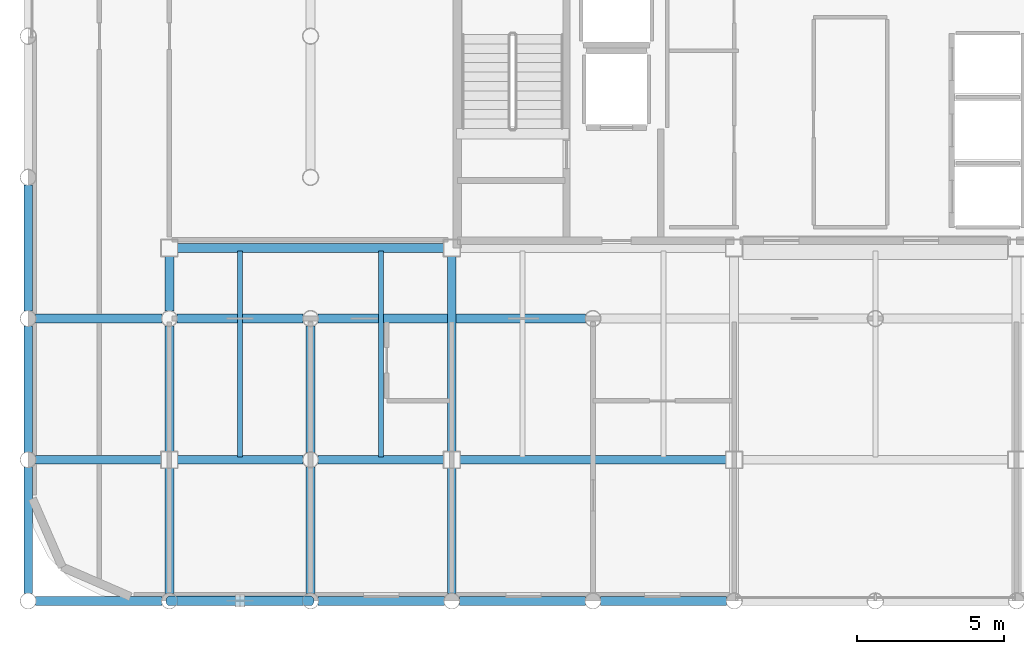
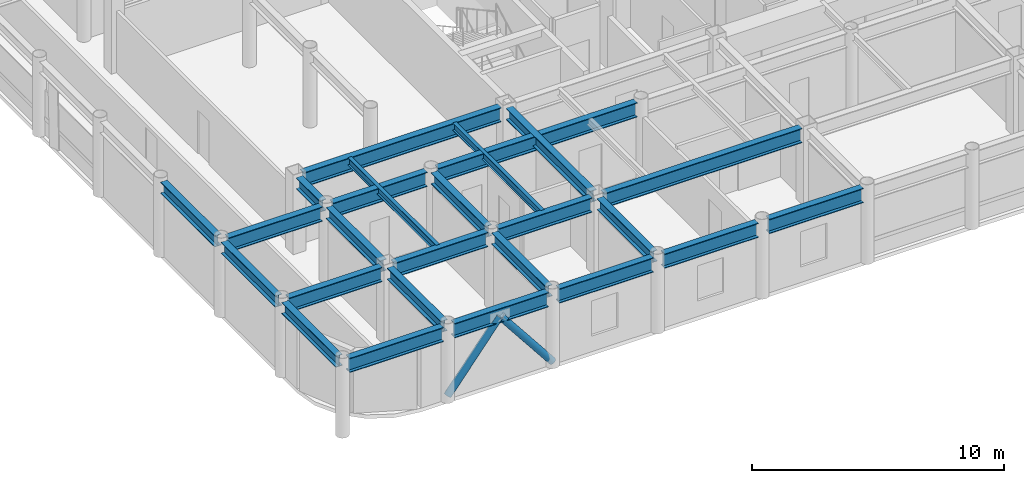
# One storey, part 3 of 22: 25 beams, 2 members.
"""IFC4 building model written with IfcOpenShell, lengths in metres."""

from ifc_helpers import new_model, si_unit, direction, frame, origin, origin_2d, place, context, subcontext, project, spatial, hollow_circle, i_section, extrude, material, material_profile, profile_set, type_object, element, save


model = new_model("IFC4")

# Units and contexts
model_context = context("Model", 3, precision=1e-05, world=origin(), true_north=direction((0.0, 1.0)))
body_context = subcontext(model_context, "Body", "Model", "MODEL_VIEW")
ifc_project = project(units=[si_unit("LENGTHUNIT", "METRE"), si_unit("AREAUNIT", "SQUARE_METRE"), si_unit("VOLUMEUNIT", "CUBIC_METRE"), si_unit("PLANEANGLEUNIT", "RADIAN"), si_unit("MASSUNIT", "GRAM", prefix="KILO")], contexts=[model_context])

# Site, building, storey
site_placement = place(None, origin())
site = spatial("IfcSite", under=ifc_project, at=site_placement, CompositionType="ELEMENT")
building_placement = place(site_placement, origin())
building = spatial("IfcBuilding", under=site, at=building_placement, Name="Kallvorn Hotel Tower", CompositionType="ELEMENT")
storey_placement = place(building_placement, frame((0.0, 0.0, 241.550048828125)))
storey = spatial("IfcBuildingStorey", under=building, at=storey_placement, Name="L60", CompositionType="ELEMENT", Elevation=241.550048828125)

# Beams
ifc_material_1 = material(Name="Structural steel S355JR", Category="steel")
ifc_material_profile_1 = material_profile(ifc_material_1, i_section(OverallWidth=0.300048828125, OverallDepth=0.550048828125, WebThickness=0.014892578125, FlangeThickness=0.029052734375, at=origin_2d()), Name="HE 550 B")
ifc_profile_set_1 = profile_set([ifc_material_profile_1], Name="Structural steel S355JR")
beam_type_1 = type_object("IfcBeamType", Name="BM_HE550B", PredefinedType="SPANDREL", material=ifc_profile_set_1)
for number, where, z_axis, x_axis, name in (
    (1, (-28.800048828125, -18.945556640625, 3.39501953125), (0.0, 1.0, 0.0), (-1.0, 0.0, 0.0), "L61 Primary Y-Girder 73"),
    (2, (-28.800048828125, -14.1455078125, 3.39501953125), (0.0, 1.0, 0.0), (-1.0, 0.0, 0.0), "L61 Primary Y-Girder 74"),
    (3, (-28.800048828125, -9.345458984375, 3.39501953125), (0.0, 1.0, 0.0), (-1.0, 0.0, 0.0), "L61 Primary Y-Girder 75"),
):
    element("IfcBeam", number, at=place(storey_placement, frame(where, z_axis=z_axis, x_axis=x_axis)), inside=storey, type_object=beam_type_1, Name=name, PredefinedType="SPANDREL", context=body_context, shape_type="SweptSolid", body=[
        extrude(i_section(OverallWidth=0.300048828125, OverallDepth=0.550048828125, WebThickness=0.014892578125, FlangeThickness=0.029052734375, at=origin_2d()), origin(), (0.0, 0.0, 1.0), 4.291015625),
    ])
for number, where, z_axis, x_axis, name in (
    (4, (-24.0, -18.945556640625, 3.39501953125), (0.0, 1.0, 0.0), (-1.0, 0.0, 0.0), "L61 Primary Y-Girder 81"),
    (5, (-24.0, -14.125, 3.39501953125), (0.0, 1.0, 0.0), (-1.0, 0.0, 0.0), "L61 Primary Y-Girder 82"),
):
    element("IfcBeam", number, at=place(storey_placement, frame(where, z_axis=z_axis, x_axis=x_axis)), inside=storey, type_object=beam_type_1, Name=name, PredefinedType="SPANDREL", context=body_context, shape_type="SweptSolid", body=[
        extrude(i_section(OverallWidth=0.300048828125, OverallDepth=0.550048828125, WebThickness=0.014892578125, FlangeThickness=0.029052734375, at=origin_2d()), origin(), (0.0, 0.0, 1.0), 4.2705078125),
    ])
beam_1_placement = place(storey_placement, frame((-24.0, -9.345458984375, 3.39501953125), z_axis=(0.0, 1.0, 0.0), x_axis=(-1.0, 0.0, 0.0)))
element("IfcBeam", 6, at=beam_1_placement, inside=storey, type_object=beam_type_1, Name="L61 Primary Y-Girder 83", PredefinedType="SPANDREL", context=body_context, shape_type="SweptSolid", body=[
    extrude(i_section(OverallWidth=0.300048828125, OverallDepth=0.550048828125, WebThickness=0.014892578125, FlangeThickness=0.029052734375, at=origin_2d()), origin(), (0.0, 0.0, 1.0), 1.870361328125),
])
for number, where, z_axis, x_axis, name in (
    (7, (-19.199951171875, -18.945556640625, 3.39501953125), (0.0, 1.0, 0.0), (-1.0, 0.0, 0.0), "L61 Primary Y-Girder 88"),
    (8, (-19.199951171875, -14.1455078125, 3.39501953125), (0.0, 1.0, 0.0), (-1.0, 0.0, 0.0), "L61 Primary Y-Girder 89"),
):
    element("IfcBeam", number, at=place(storey_placement, frame(where, z_axis=z_axis, x_axis=x_axis)), inside=storey, type_object=beam_type_1, Name=name, PredefinedType="SPANDREL", context=body_context, shape_type="SweptSolid", body=[
        extrude(i_section(OverallWidth=0.300048828125, OverallDepth=0.550048828125, WebThickness=0.014892578125, FlangeThickness=0.029052734375, at=origin_2d()), origin(), (0.0, 0.0, 1.0), 4.291015625),
    ])
beam_2_placement = place(storey_placement, frame((-14.39990234375, -18.945556640625, 3.39501953125), z_axis=(0.0, 1.0, 0.0), x_axis=(-1.0, 0.0, 0.0)))
element("IfcBeam", 9, at=beam_2_placement, inside=storey, type_object=beam_type_1, Name="L61 Primary Y-Girder 97", PredefinedType="SPANDREL", context=body_context, shape_type="SweptSolid", body=[
    extrude(i_section(OverallWidth=0.300048828125, OverallDepth=0.550048828125, WebThickness=0.014892578125, FlangeThickness=0.029052734375, at=origin_2d()), origin(), (0.0, 0.0, 1.0), 4.2705078125),
])
beam_3_placement = place(storey_placement, frame((-14.39990234375, -14.125, 3.39501953125), z_axis=(0.0, 1.0, 0.0), x_axis=(-1.0, 0.0, 0.0)))
element("IfcBeam", 10, at=beam_3_placement, inside=storey, type_object=beam_type_1, Name="L61 Primary Y-Girder 98", PredefinedType="SPANDREL", context=body_context, shape_type="SweptSolid", body=[
    extrude(i_section(OverallWidth=0.300048828125, OverallDepth=0.550048828125, WebThickness=0.014892578125, FlangeThickness=0.029052734375, at=origin_2d()), origin(), (0.0, 0.0, 1.0), 6.64990234375),
])
ifc_material_2 = material(Name="Structural steel S355JR", Category="steel")
ifc_material_profile_2 = material_profile(ifc_material_2, i_section(OverallWidth=0.300048828125, OverallDepth=0.699951171875, WebThickness=0.01708984375, FlangeThickness=0.031982421875, at=origin_2d()), Name="HE 700 B")
ifc_profile_set_2 = profile_set([ifc_material_profile_2], Name="Structural steel S355JR")
beam_type_2 = type_object("IfcBeamType", Name="BM_HE700B", PredefinedType="BEAM", material=ifc_profile_set_2)
for number, where, z_axis, x_axis, name in (
    (11, (-28.54541015625, -19.199951171875, 3.320068359375), (1.0, 0.0, 0.0), (0.0, 1.0, 0.0), "L61 Primary X-Girder 01"),
    (12, (-23.74560546875, -19.199951171875, 3.320068359375), (1.0, 0.0, 0.0), (0.0, 1.0, 0.0), "L61 Primary X-Girder 02"),
    (13, (-18.945556640625, -19.199951171875, 3.320068359375), (1.0, 0.0, 0.0), (0.0, 1.0, 0.0), "L61 Primary X-Girder 03"),
    (14, (-14.1455078125, -19.199951171875, 3.320068359375), (1.0, 0.0, 0.0), (0.0, 1.0, 0.0), "L61 Primary X-Girder 04"),
    (15, (-9.345458984375, -19.199951171875, 3.320068359375), (1.0, 0.0, 0.0), (0.0, 1.0, 0.0), "L61 Primary X-Girder 05"),
):
    element("IfcBeam", number, at=place(storey_placement, frame(where, z_axis=z_axis, x_axis=x_axis)), inside=storey, type_object=beam_type_2, Name=name, PredefinedType="BEAM", context=body_context, shape_type="SweptSolid", body=[
        extrude(i_section(OverallWidth=0.300048828125, OverallDepth=0.699951171875, WebThickness=0.01708984375, FlangeThickness=0.031982421875, at=origin_2d()), origin(), (0.0, 0.0, 1.0), 4.291015625),
    ])
for number, where, z_axis, x_axis, name in (
    (16, (-28.54541015625, -14.39990234375, 3.320068359375), (1.0, 0.0, 0.0), (0.0, 1.0, 0.0), "L61 Primary X-Girder 13"),
    (17, (-23.72509765625, -14.39990234375, 3.320068359375), (1.0, 0.0, 0.0), (0.0, 1.0, 0.0), "L61 Primary X-Girder 14"),
    (18, (-18.945556640625, -14.39990234375, 3.320068359375), (1.0, 0.0, 0.0), (0.0, 1.0, 0.0), "L61 Primary X-Girder 15"),
):
    element("IfcBeam", number, at=place(storey_placement, frame(where, z_axis=z_axis, x_axis=x_axis)), inside=storey, type_object=beam_type_2, Name=name, PredefinedType="BEAM", context=body_context, shape_type="SweptSolid", body=[
        extrude(i_section(OverallWidth=0.300048828125, OverallDepth=0.699951171875, WebThickness=0.01708984375, FlangeThickness=0.031982421875, at=origin_2d()), origin(), (0.0, 0.0, 1.0), 4.2705078125),
    ])
beam_4_placement = place(storey_placement, frame((-14.125, -14.39990234375, 3.320068359375), z_axis=(1.0, 0.0, 0.0), x_axis=(0.0, 1.0, 0.0)))
element("IfcBeam", 19, at=beam_4_placement, inside=storey, type_object=beam_type_2, Name="L61 Primary X-Girder 16", PredefinedType="BEAM", context=body_context, shape_type="SweptSolid", body=[
    extrude(i_section(OverallWidth=0.300048828125, OverallDepth=0.699951171875, WebThickness=0.01708984375, FlangeThickness=0.031982421875, at=origin_2d()), origin(), (0.0, 0.0, 1.0), 9.050048828125),
])
for number, where, z_axis, x_axis, name in (
    (20, (-28.54541015625, -9.60009765625, 3.320068359375), (1.0, 0.0, 0.0), (0.0, 1.0, 0.0), "L61 Primary X-Girder 23"),
    (21, (-23.74560546875, -9.60009765625, 3.320068359375), (1.0, 0.0, 0.0), (0.0, 1.0, 0.0), "L61 Primary X-Girder 24"),
):
    element("IfcBeam", number, at=place(storey_placement, frame(where, z_axis=z_axis, x_axis=x_axis)), inside=storey, type_object=beam_type_2, Name=name, PredefinedType="BEAM", context=body_context, shape_type="SweptSolid", body=[
        extrude(i_section(OverallWidth=0.300048828125, OverallDepth=0.699951171875, WebThickness=0.01708984375, FlangeThickness=0.031982421875, at=origin_2d()), origin(), (0.0, 0.0, 1.0), 4.291015625),
    ])
beam_5_placement = place(storey_placement, frame((-18.945556640625, -9.60009765625, 3.320068359375), z_axis=(1.0, 0.0, 0.0), x_axis=(0.0, 1.0, 0.0)))
element("IfcBeam", 22, at=beam_5_placement, inside=storey, type_object=beam_type_2, Name="L61 Primary X-Girder 25", PredefinedType="BEAM", context=body_context, shape_type="SweptSolid", body=[
    extrude(i_section(OverallWidth=0.300048828125, OverallDepth=0.699951171875, WebThickness=0.01708984375, FlangeThickness=0.031982421875, at=origin_2d()), origin(), (0.0, 0.0, 1.0), 9.091064453125),
])
beam_6_placement = place(storey_placement, frame((-23.72509765625, -7.199951171875, 3.320068359375), z_axis=(1.0, 0.0, 0.0), x_axis=(0.0, 1.0, 0.0)))
element("IfcBeam", 23, at=beam_6_placement, inside=storey, type_object=beam_type_2, Name="L61 Primary X-Girder 32", PredefinedType="BEAM", context=body_context, shape_type="SweptSolid", body=[
    extrude(i_section(OverallWidth=0.300048828125, OverallDepth=0.699951171875, WebThickness=0.01708984375, FlangeThickness=0.031982421875, at=origin_2d()), origin(), (0.0, 0.0, 1.0), 9.050048828125),
])
ifc_material_3 = material(Name="Structural steel S355JR", Category="steel")
ifc_material_profile_3 = material_profile(ifc_material_3, i_section(OverallWidth=0.169921875, OverallDepth=0.360107421875, WebThickness=0.008056640625, FlangeThickness=0.0126953125, at=origin_2d()), Name="IPE 360")
ifc_profile_set_3 = profile_set([ifc_material_profile_3], Name="Structural steel S355JR")
beam_type_3 = type_object("IfcBeamType", Name="BM_IPE360", PredefinedType="JOIST", material=ifc_profile_set_3)
for number, where, z_axis, x_axis, name in (
    (24, (-21.60009765625, -14.300048828125, 3.489990234375), (0.0, 1.0, 0.0), (-1.0, 0.0, 0.0), "L61 Secondary Composite Joist 192"),
    (25, (-16.800048828125, -14.300048828125, 3.489990234375), (0.0, 1.0, 0.0), (-1.0, 0.0, 0.0), "L61 Secondary Composite Joist 194"),
):
    element("IfcBeam", number, at=place(storey_placement, frame(where, z_axis=z_axis, x_axis=x_axis)), inside=storey, type_object=beam_type_3, Name=name, PredefinedType="JOIST", context=body_context, shape_type="SweptSolid", body=[
        extrude(i_section(OverallWidth=0.169921875, OverallDepth=0.360107421875, WebThickness=0.008056640625, FlangeThickness=0.0126953125, at=origin_2d()), origin(), (0.0, 0.0, 1.0), 7.0),
    ])

# Members
ifc_material_4 = material(Name="Structural steel S355J2H", Category="steel")
ifc_material_profile_4 = material_profile(ifc_material_4, hollow_circle(Radius=0.161865234375, WallThickness=0.012451171875, at=origin_2d()), Name="CHS 323.9x12.5")
ifc_profile_set_4 = profile_set([ifc_material_profile_4], Name="Structural steel S355J2H")
member_type = type_object("IfcMemberType", Name="MBR_EXO_CHS323", PredefinedType="BRACE", material=ifc_profile_set_4)
for number, where, z_axis, x_axis, name in (
    (26, (-23.987548828125, -19.199951171875, 0.195556640625), (0.62089744796, 0.0, 0.783891803196), (0.0, 1.0, 0.0), "L60 Exoskeleton K-Brace S1A"),
    (27, (-19.21240234375, -19.199951171875, 0.195556640625), (-0.62089744796, 0.0, 0.783891803196), (0.0, -1.0, 0.0), "L60 Exoskeleton K-Brace S1B"),
):
    element("IfcMember", number, at=place(storey_placement, frame(where, z_axis=z_axis, x_axis=x_axis)), inside=storey, type_object=member_type, Name=name, PredefinedType="BRACE", context=body_context, shape_type="SweptSolid", body=[
        extrude(hollow_circle(Radius=0.161865234375, WallThickness=0.012451171875, at=origin_2d()), origin(), (0.0, 0.0, 1.0), 3.825439453125),
    ])

save(model, "model.ifc")
